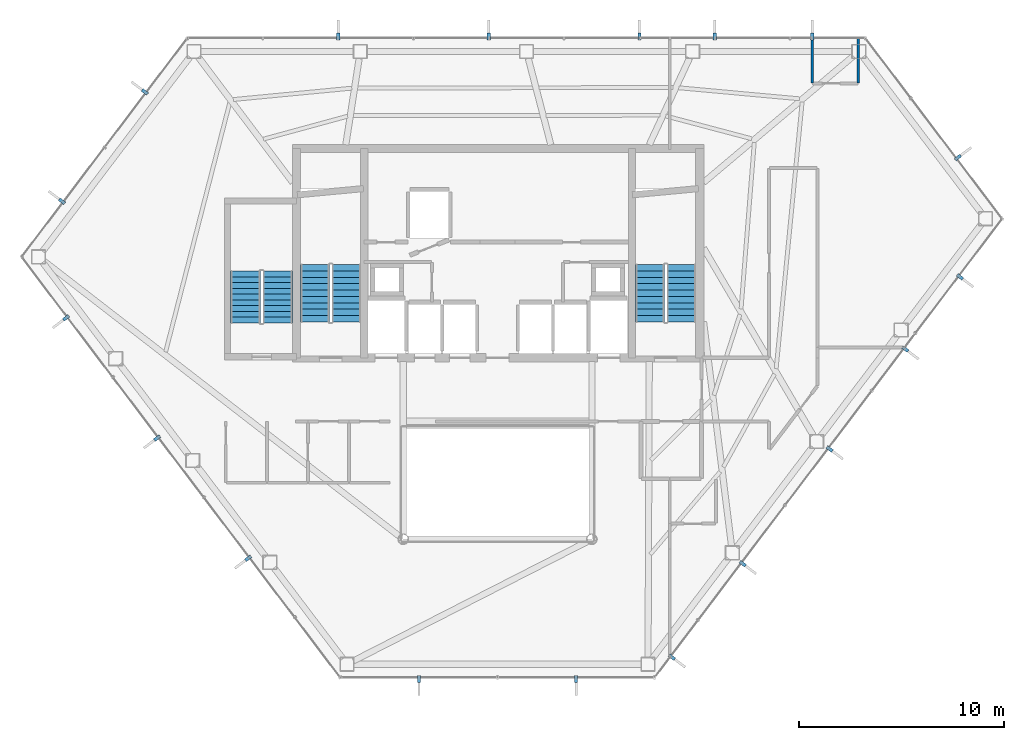
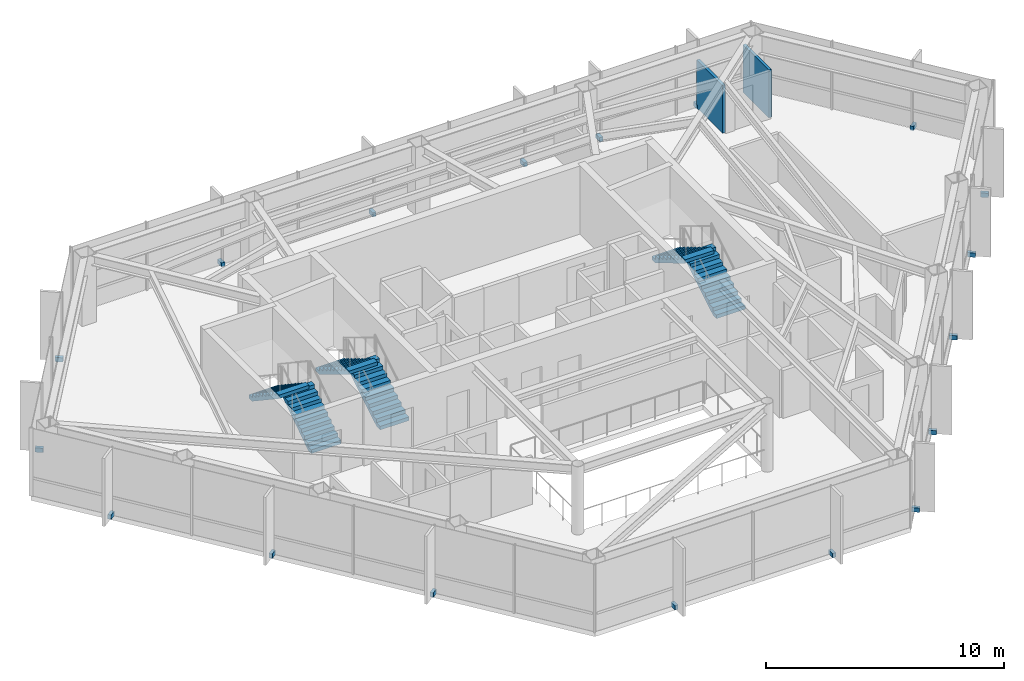
# One storey, part 27 of 28: 18 discrete accessories, 6 stair flights, 2 walls, 3 elements without a shape of their own.
"""IFC4 building model written with IfcOpenShell, lengths in metres."""

from ifc_helpers import new_model, si_unit, direction, frame, frame_2d, origin, origin_2d, place, context, subcontext, project, spatial, polyline, rectangle, outline, extrude, material, layer, layer_set, type_object, element, aggregate, save


model = new_model("IFC4")

# Units and contexts
model_context = context("Model", 3, precision=1e-05, world=origin(), true_north=direction((0.0, 1.0)))
body_context = subcontext(model_context, "Body", "Model", "MODEL_VIEW")
ifc_project = project(units=[si_unit("LENGTHUNIT", "METRE"), si_unit("AREAUNIT", "SQUARE_METRE"), si_unit("VOLUMEUNIT", "CUBIC_METRE"), si_unit("PLANEANGLEUNIT", "RADIAN"), si_unit("MASSUNIT", "GRAM", prefix="KILO")], contexts=[model_context])

# Site, building, storey
site_placement = place(None, origin())
site = spatial("IfcSite", under=ifc_project, at=site_placement, CompositionType="ELEMENT")
building_placement = place(site_placement, origin())
building = spatial("IfcBuilding", under=site, at=building_placement, Name="Zarrinselat Tower", CompositionType="ELEMENT")
storey_placement = place(building_placement, frame((0.0, 0.0, 168.300048828125)))
storey = spatial("IfcBuildingStorey", under=building, at=storey_placement, Name="L41", CompositionType="ELEMENT", Elevation=168.300048828125)

# Walls
ifc_material_1 = material(Name="Fire-Rated Gypsum Board Partition", Category="gypsum")
ifc_layer = layer(ifc_material_1, 0.135009765625)
ifc_layer_set = layer_set([ifc_layer], Name="Fire-Rated Gypsum Board Partition")
wall_type = type_object("IfcWallType", Name="WAL-PART-WET", PredefinedType="PARTITIONING", material=ifc_layer_set)
for number, where, z_axis, x_axis, name in (
    (1, (53.74609375, 46.64892578125, 0.0), (0.0, 0.0, 1.0), (0.0, 1.0, 0.0), "L41 Partition Wall 43"),
    (2, (55.99609375, 46.64892578125, 0.0), (0.0, 0.0, 1.0), (0.0, 1.0, 0.0), "L41 Partition Wall 45"),
):
    element("IfcWall", number, at=place(storey_placement, frame(where, z_axis=z_axis, x_axis=x_axis)), inside=storey, type_object=wall_type, Name=name, PredefinedType="PARTITIONING", context=body_context, shape_type="SweptSolid", body=[
        extrude(rectangle(XDim=2.175048828125, YDim=0.135009765625, at=frame_2d((1.08740234375, 0.0))), origin(), (0.0, 0.0, 1.0), 2.45703125),
    ])

# Stair, stair flights
ifc_material_2 = material(Name="Concrete C40/50", Category="concrete")
stair_type_1 = type_object("IfcStairType", Name="STR-CORE-145", PredefinedType="HALF_TURN_STAIR", material=ifc_material_2)
stair_1_placement = place(storey_placement, origin())
stair_1 = element("IfcStair", 3, at=stair_1_placement, inside=storey, type_object=stair_type_1, Name="L41 Podium & Mid-Tower Exit Stair 3", PredefinedType="HALF_TURN_STAIR")
ifc_material_3 = material(Name="Concrete C40/50", Category="concrete")
stair_flight_type_1 = type_object("IfcStairFlightType", Name="STR-FLT-145", PredefinedType="STRAIGHT", material=ifc_material_3)
stair_flight_1_placement = place(storey_placement, frame((27.675048828125, 34.949951171875, 0.0), z_axis=(0.0, 0.0, 1.0), x_axis=(0.0, 1.0, 0.0)))
stair_flight_1 = element("IfcStairFlight", 4, at=stair_flight_1_placement, type_object=stair_flight_type_1, Name="ST-3 flight 1", NumberOfRisers=10, NumberOfTreads=9, PredefinedType="STRAIGHT", RiserHeight=0.187, TreadLength=0.28, context=body_context, shape_type="SweptSolid", body=[
    extrude(outline(polyline([(0.0, 0.0), (0.0, 0.18701171875), (0.280029296875, 0.18701171875), (0.280029296875, 0.3740234375), (0.56005859375, 0.3740234375), (0.56005859375, 0.56103515625), (0.840087890625, 0.56103515625), (0.840087890625, 0.748046875), (1.1201171875, 0.748046875), (1.1201171875, 0.93505859375), (1.39990234375, 0.93505859375), (1.39990234375, 1.1220703125), (1.679931640625, 1.1220703125), (1.679931640625, 1.30908203125), (1.9599609375, 1.30908203125), (1.9599609375, 1.49609375), (2.239990234375, 1.49609375), (2.239990234375, 1.68310546875), (2.52001953125, 1.68310546875), (2.52001953125, 1.8701171875), (2.52001953125, 1.502685546875), (0.27001953125, 0.0), (0.0, 0.0)])), frame((0.0, 0.72509765625, 0.0), z_axis=(0.0, -1.0, 0.0), x_axis=(1.0, 0.0, 0.0)), (0.0, 0.0, 1.0), 1.449951171875),
])
stair_flight_2_placement = place(storey_placement, frame((26.10498046875, 37.469970703125, 1.869873046875), z_axis=(0.0, 0.0, 1.0), x_axis=(0.0, -1.0, 0.0)))
stair_flight_2 = element("IfcStairFlight", 5, at=stair_flight_2_placement, type_object=stair_flight_type_1, Name="ST-3 flight 2", NumberOfRisers=10, NumberOfTreads=9, PredefinedType="STRAIGHT", RiserHeight=0.187, TreadLength=0.28, context=body_context, shape_type="SweptSolid", body=[
    extrude(outline(polyline([(0.0, 0.0), (0.0, 0.18701171875), (0.280029296875, 0.18701171875), (0.280029296875, 0.3740234375), (0.56005859375, 0.3740234375), (0.56005859375, 0.56103515625), (0.840087890625, 0.56103515625), (0.840087890625, 0.748046875), (1.1201171875, 0.748046875), (1.1201171875, 0.93505859375), (1.39990234375, 0.93505859375), (1.39990234375, 1.1220703125), (1.679931640625, 1.1220703125), (1.679931640625, 1.30908203125), (1.9599609375, 1.30908203125), (1.9599609375, 1.49609375), (2.239990234375, 1.49609375), (2.239990234375, 1.68310546875), (2.52001953125, 1.68310546875), (2.52001953125, 1.8701171875), (2.52001953125, 1.502685546875), (0.27001953125, 0.0), (0.0, 0.0)])), frame((0.0, 0.72509765625, 0.0), z_axis=(0.0, -1.0, 0.0), x_axis=(1.0, 0.0, 0.0)), (0.0, 0.0, 1.0), 1.449951171875),
])
aggregate(stair_1, [stair_flight_1, stair_flight_2])

ifc_material_4 = material(Name="Concrete C40/50", Category="concrete")
stair_type_2 = type_object("IfcStairType", Name="STR-CORE-155", PredefinedType="HALF_TURN_STAIR", material=ifc_material_4)
stair_2_placement = place(storey_placement, origin())
stair_2 = element("IfcStair", 6, at=stair_2_placement, inside=storey, type_object=stair_type_2, Name="L41 Core Exit Stair 1", PredefinedType="HALF_TURN_STAIR")
ifc_material_5 = material(Name="Concrete C40/50", Category="concrete")
stair_flight_type_2 = type_object("IfcStairFlightType", Name="STR-FLT-155", PredefinedType="STRAIGHT", material=ifc_material_5)
stair_flight_3_placement = place(storey_placement, frame((31.02001953125, 35.0, 0.0), z_axis=(0.0, 0.0, 1.0), x_axis=(0.0, 1.0, 0.0)))
stair_flight_3 = element("IfcStairFlight", 7, at=stair_flight_3_placement, type_object=stair_flight_type_2, Name="ST-1 flight 1", NumberOfRisers=10, NumberOfTreads=9, PredefinedType="STRAIGHT", RiserHeight=0.187, TreadLength=0.31, context=body_context, shape_type="SweptSolid", body=[
    extrude(outline(polyline([(0.0, 0.0), (0.0, 0.18701171875), (0.31005859375, 0.18701171875), (0.31005859375, 0.3740234375), (0.6201171875, 0.3740234375), (0.6201171875, 0.56103515625), (0.929931640625, 0.56103515625), (0.929931640625, 0.748046875), (1.239990234375, 0.748046875), (1.239990234375, 0.93505859375), (1.550048828125, 0.93505859375), (1.550048828125, 1.1220703125), (1.860107421875, 1.1220703125), (1.860107421875, 1.30908203125), (2.169921875, 1.30908203125), (2.169921875, 1.49609375), (2.47998046875, 1.49609375), (2.47998046875, 1.68310546875), (2.7900390625, 1.68310546875), (2.7900390625, 1.8701171875), (2.7900390625, 1.508056640625), (0.290283203125, 0.0), (0.0, 0.0)])), frame((0.0, 0.699951171875, 0.0), z_axis=(0.0, -1.0, 0.0), x_axis=(1.0, 0.0, 0.0)), (0.0, 0.0, 1.0), 1.39990234375),
])
stair_flight_4_placement = place(storey_placement, frame((29.5, 37.7900390625, 1.869873046875), z_axis=(0.0, 0.0, 1.0), x_axis=(0.0, -1.0, 0.0)))
stair_flight_4 = element("IfcStairFlight", 8, at=stair_flight_4_placement, type_object=stair_flight_type_2, Name="ST-1 flight 2", NumberOfRisers=10, NumberOfTreads=9, PredefinedType="STRAIGHT", RiserHeight=0.187, TreadLength=0.31, context=body_context, shape_type="SweptSolid", body=[
    extrude(outline(polyline([(0.0, 0.0), (0.0, 0.18701171875), (0.31005859375, 0.18701171875), (0.31005859375, 0.3740234375), (0.6201171875, 0.3740234375), (0.6201171875, 0.56103515625), (0.929931640625, 0.56103515625), (0.929931640625, 0.748046875), (1.239990234375, 0.748046875), (1.239990234375, 0.93505859375), (1.550048828125, 0.93505859375), (1.550048828125, 1.1220703125), (1.860107421875, 1.1220703125), (1.860107421875, 1.30908203125), (2.169921875, 1.30908203125), (2.169921875, 1.49609375), (2.47998046875, 1.49609375), (2.47998046875, 1.68310546875), (2.7900390625, 1.68310546875), (2.7900390625, 1.8701171875), (2.7900390625, 1.508056640625), (0.290283203125, 0.0), (0.0, 0.0)])), frame((0.0, 0.699951171875, 0.0), z_axis=(0.0, -1.0, 0.0), x_axis=(1.0, 0.0, 0.0)), (0.0, 0.0, 1.0), 1.39990234375),
])
aggregate(stair_2, [stair_flight_3, stair_flight_4])

stair_3_placement = place(storey_placement, origin())
stair_3 = element("IfcStair", 9, at=stair_3_placement, inside=storey, type_object=stair_type_2, Name="L41 Core Exit Stair 2", PredefinedType="HALF_TURN_STAIR")
stair_flight_5_placement = place(storey_placement, frame((47.360107421875, 35.0, 0.0), z_axis=(0.0, 0.0, 1.0), x_axis=(0.0, 1.0, 0.0)))
stair_flight_5 = element("IfcStairFlight", 10, at=stair_flight_5_placement, type_object=stair_flight_type_2, Name="ST-2 flight 1", NumberOfRisers=10, NumberOfTreads=9, PredefinedType="STRAIGHT", RiserHeight=0.187, TreadLength=0.31, context=body_context, shape_type="SweptSolid", body=[
    extrude(outline(polyline([(0.0, 0.0), (0.0, 0.18701171875), (0.31005859375, 0.18701171875), (0.31005859375, 0.3740234375), (0.6201171875, 0.3740234375), (0.6201171875, 0.56103515625), (0.929931640625, 0.56103515625), (0.929931640625, 0.748046875), (1.239990234375, 0.748046875), (1.239990234375, 0.93505859375), (1.550048828125, 0.93505859375), (1.550048828125, 1.1220703125), (1.860107421875, 1.1220703125), (1.860107421875, 1.30908203125), (2.169921875, 1.30908203125), (2.169921875, 1.49609375), (2.47998046875, 1.49609375), (2.47998046875, 1.68310546875), (2.7900390625, 1.68310546875), (2.7900390625, 1.8701171875), (2.7900390625, 1.508056640625), (0.290283203125, 0.0), (0.0, 0.0)])), frame((0.0, 0.699951171875, 0.0), z_axis=(0.0, -1.0, 0.0), x_axis=(1.0, 0.0, 0.0)), (0.0, 0.0, 1.0), 1.39990234375),
])
stair_flight_6_placement = place(storey_placement, frame((45.840087890625, 37.7900390625, 1.869873046875), z_axis=(0.0, 0.0, 1.0), x_axis=(0.0, -1.0, 0.0)))
stair_flight_6 = element("IfcStairFlight", 11, at=stair_flight_6_placement, type_object=stair_flight_type_2, Name="ST-2 flight 2", NumberOfRisers=10, NumberOfTreads=9, PredefinedType="STRAIGHT", RiserHeight=0.187, TreadLength=0.31, context=body_context, shape_type="SweptSolid", body=[
    extrude(outline(polyline([(0.0, 0.0), (0.0, 0.18701171875), (0.31005859375, 0.18701171875), (0.31005859375, 0.3740234375), (0.6201171875, 0.3740234375), (0.6201171875, 0.56103515625), (0.929931640625, 0.56103515625), (0.929931640625, 0.748046875), (1.239990234375, 0.748046875), (1.239990234375, 0.93505859375), (1.550048828125, 0.93505859375), (1.550048828125, 1.1220703125), (1.860107421875, 1.1220703125), (1.860107421875, 1.30908203125), (2.169921875, 1.30908203125), (2.169921875, 1.49609375), (2.47998046875, 1.49609375), (2.47998046875, 1.68310546875), (2.7900390625, 1.68310546875), (2.7900390625, 1.8701171875), (2.7900390625, 1.508056640625), (0.290283203125, 0.0), (0.0, 0.0)])), frame((0.0, 0.699951171875, 0.0), z_axis=(0.0, -1.0, 0.0), x_axis=(1.0, 0.0, 0.0)), (0.0, 0.0, 1.0), 1.39990234375),
])
aggregate(stair_3, [stair_flight_5, stair_flight_6])

# Discrete accessories
ifc_material_6 = material(Name="Steel S355J2", Category="steel")
discrete_accessory_type = type_object("IfcDiscreteAccessoryType", Name="ACC-FIN-BRACKET", PredefinedType="BRACKET", material=ifc_material_6)
for number, where, z_axis, x_axis, name in (
    (12, (53.74609375, 48.908935546875, -0.0498046875), (0.0, 0.0, 1.0), (0.0, 1.0, 0.0), "L41 Fin Fixing Bracket CW-L41-E01-01"),
    (13, (48.99755859375, 48.908935546875, -0.0498046875), (0.0, 0.0, 1.0), (0.0, 1.0, 0.0), "L41 Fin Fixing Bracket CW-L41-E01-03"),
    (14, (45.322998046875, 48.908935546875, -0.0498046875), (0.0, 0.0, 1.0), (0.0, 1.0, 0.0), "L41 Fin Fixing Bracket CW-L41-E01-05"),
    (15, (37.973876953125, 48.908935546875, -0.0498046875), (0.0, 0.0, 1.0), (0.0, 1.0, 0.0), "L41 Fin Fixing Bracket CW-L41-E01-07"),
    (16, (30.62451171875, 48.908935546875, -0.0498046875), (0.0, 0.0, 1.0), (0.0, 1.0, 0.0), "L41 Fin Fixing Bracket CW-L41-E01-09"),
    (17, (21.19921875, 46.21435546875, -0.0498046875), (0.0, 0.0, 1.0), (-0.797094545808, 0.603854523079, 0.0), "L41 Fin Fixing Bracket CW-L41-E02-01"),
    (18, (17.158447265625, 40.88037109375, -0.0498046875), (0.0, 0.0, 1.0), (-0.797094545808, 0.603854523079, 0.0), "L41 Fin Fixing Bracket CW-L41-E02-03"),
    (19, (17.3583984375, 35.19775390625, -0.0498046875), (0.0, 0.0, 1.0), (-0.797091921496, -0.603857987184, 0.0), "L41 Fin Fixing Bracket CW-L41-E03-01"),
    (20, (21.799560546875, 29.33544921875, -0.0498046875), (0.0, 0.0, 1.0), (-0.797091921496, -0.603857987184, 0.0), "L41 Fin Fixing Bracket CW-L41-E03-03"),
    (21, (26.24072265625, 23.47314453125, -0.0498046875), (0.0, 0.0, 1.0), (-0.797091921496, -0.603857987184, 0.0), "L41 Fin Fixing Bracket CW-L41-E03-05"),
    (22, (34.56884765625, 17.583251953125, -0.0498046875), (0.0, 0.0, 1.0), (0.0, -1.0, 0.0), "L41 Fin Fixing Bracket CW-L41-E04-01"),
    (23, (42.231201171875, 17.583251953125, -0.0498046875), (0.0, 0.0, 1.0), (0.0, -1.0, 0.0), "L41 Fin Fixing Bracket CW-L41-E04-03"),
    (24, (46.903564453125, 18.647705078125, -0.0498046875), (0.0, 0.0, 1.0), (0.797091265033, -0.603858853713, 0.0), "L41 Fin Fixing Bracket CW-L41-E05-01"),
    (25, (50.35693359375, 23.2060546875, -0.0498046875), (0.0, 0.0, 1.0), (0.797091265033, -0.603858853713, 0.0), "L41 Fin Fixing Bracket CW-L41-E05-03"),
    (26, (54.595703125, 28.80126953125, -0.0498046875), (0.0, 0.0, 1.0), (0.797091265033, -0.603858853713, 0.0), "L41 Fin Fixing Bracket CW-L41-E05-05"),
    (27, (58.287109375, 33.674072265625, -0.0498046875), (0.0, 0.0, 1.0), (0.797091265033, -0.603858853713, 0.0), "L41 Fin Fixing Bracket CW-L41-E05-07"),
    (28, (60.95361328125, 37.19384765625, -0.0498046875), (0.0, 0.0, 1.0), (0.797091265033, -0.603858853713, 0.0), "L41 Fin Fixing Bracket CW-L41-E05-09"),
    (29, (60.849609375, 43.010986328125, -0.0498046875), (0.0, 0.0, 1.0), (0.797092412227, 0.603857339419, 0.0), "L41 Fin Fixing Bracket CW-L41-E06-01"),
):
    element("IfcDiscreteAccessory", number, at=place(storey_placement, frame(where, z_axis=z_axis, x_axis=x_axis)), inside=storey, type_object=discrete_accessory_type, Name=name, PredefinedType="BRACKET", context=body_context, shape_type="SweptSolid", body=[
        extrude(rectangle(XDim=0.340087890625, YDim=0.159912109375, at=origin_2d()), origin(), (0.0, 0.0, 1.0), 0.219970703125),
    ])

save(model, "model.ifc")
